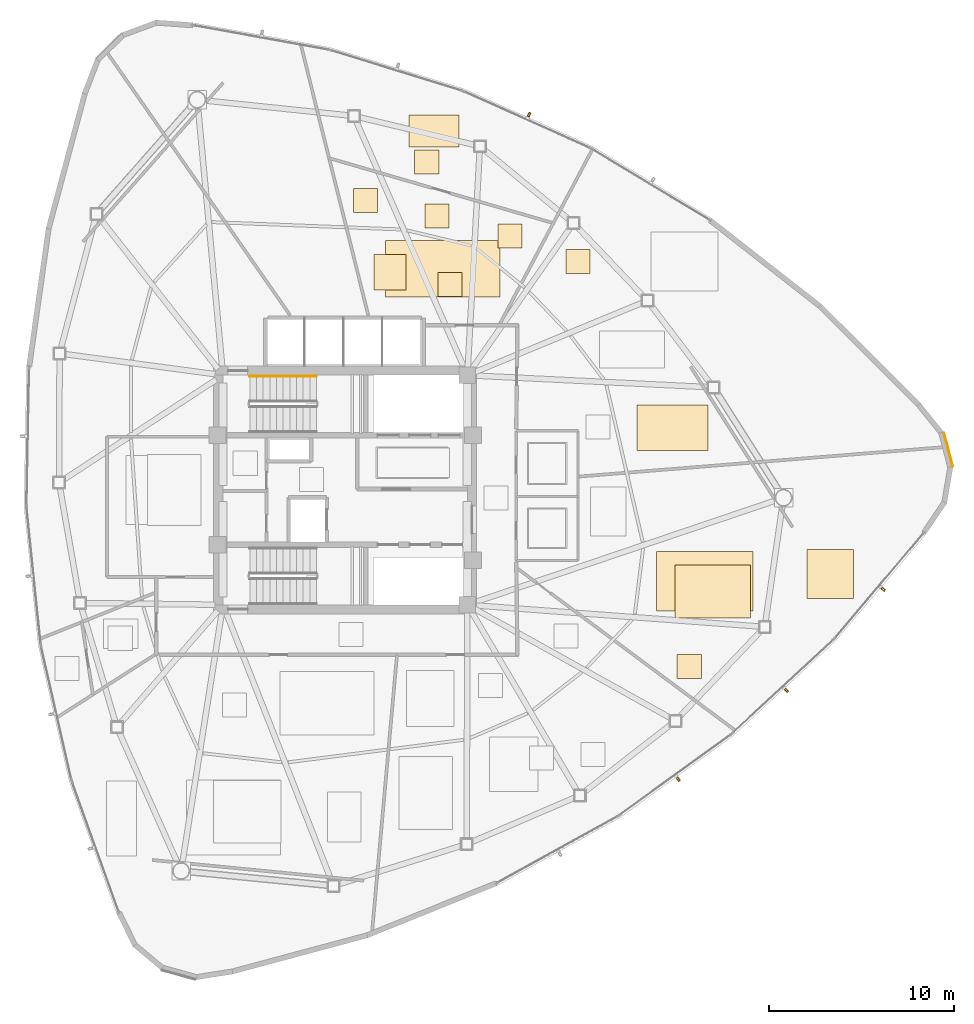
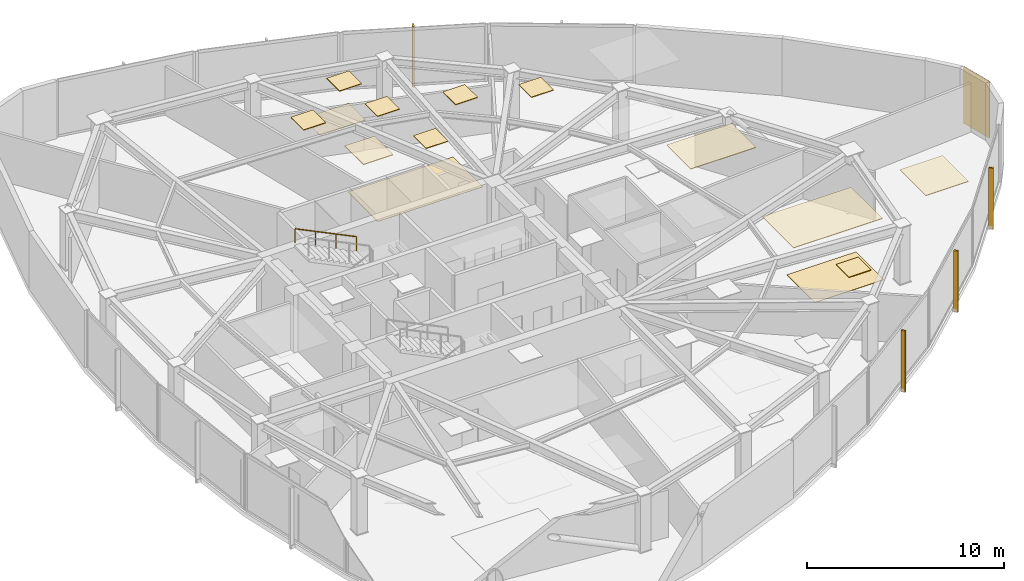
# One storey, part 16 of 17: 15 coverings, 4 shading devices, 1 railing.
"""IFC4 building model written with IfcOpenShell, lengths in metres."""

from ifc_helpers import new_model, si_unit, direction, frame, origin, origin_2d, place, context, subcontext, project, spatial, polyline, rectangle, outline, extrude, source, transform, mapped, material, layer, layer_set, type_object, type_shapes, element, save


model = new_model("IFC4")

# Units and contexts
model_context = context("Model", 3, precision=1e-05, world=origin(), true_north=direction((0.0, 1.0)))
body_context = subcontext(model_context, "Body", "Model", "MODEL_VIEW")
ifc_project = project(units=[si_unit("LENGTHUNIT", "METRE"), si_unit("AREAUNIT", "SQUARE_METRE"), si_unit("VOLUMEUNIT", "CUBIC_METRE"), si_unit("PLANEANGLEUNIT", "RADIAN"), si_unit("MASSUNIT", "GRAM", prefix="KILO")], contexts=[model_context])

# Site, building, storey
site_placement = place(None, origin())
site = spatial("IfcSite", under=ifc_project, at=site_placement, CompositionType="ELEMENT")
building_placement = place(site_placement, origin())
building = spatial("IfcBuilding", under=site, at=building_placement, Name="Tavelor Broadcast Tower", CompositionType="ELEMENT")
storey_placement = place(building_placement, frame((0.0, 0.0, 169.5)))
storey = spatial("IfcBuildingStorey", under=building, at=storey_placement, Name="L40", CompositionType="ELEMENT", Elevation=169.5)

# Covering
ifc_material_1 = material(Name="Copper-Bronze Anodized Aluminium", Category="aluminium")
ifc_layer_1 = layer(ifc_material_1, 0.050048828125)
ifc_layer_set_1 = layer_set([ifc_layer_1], Name="Copper-Bronze Anodized Aluminium")
covering_type_1 = type_object("IfcCoveringType", Name="Champagne-Bronze Corner Pier Metal Cladding 50 mm", PredefinedType="CLADDING", material=ifc_layer_set_1)
covering_1_placement = place(storey_placement, frame((82.578369140625, 47.185546875, 0.02001953125), z_axis=(0.0, 0.0, 1.0), x_axis=(-0.251224776808, 0.96792877399, 0.0)))
element("IfcCovering", 1, at=covering_1_placement, inside=storey, type_object=covering_type_1, Name="L40 Champagne-Bronze Corner Cladding 23", PredefinedType="CLADDING", context=body_context, shape_type="SweptSolid", body=[
    extrude(rectangle(XDim=1.885009765625, YDim=0.050048828125, at=origin_2d()), origin(), (0.0, 0.0, 1.0), 3.510009765625),
])

# Railing
ifc_material_2 = material(Name="Steel S355", Category="steel")
railing_type = type_object("IfcRailingType", Name="Continuous Brushed Stainless Handrail 900 mm", PredefinedType="HANDRAIL", material=ifc_material_2)
railing_placement = place(storey_placement, frame((48.449951171875, 51.14990234375, 2.10009765625)))
element("IfcRailing", 2, at=railing_placement, inside=storey, type_object=railing_type, Name="L40 ST1 stair handrail 2", PredefinedType="HANDRAIL", context=body_context, shape_type="SweptSolid", body=[
    extrude(rectangle(XDim=0.048095703125, YDim=0.048095703125, at=origin_2d()), frame((0.0, 0.0, 0.8759765625), z_axis=(-0.899360859046, 0.0, 0.437207096483), x_axis=(0.0, -1.0, 0.0)), (0.0, 0.0, 1.0), 4.002685546875),
    extrude(rectangle(XDim=0.0419921875, YDim=0.0419921875, at=origin_2d()), origin(), (0.0, 0.0, 1.0), 0.851806640625),
    extrude(rectangle(XDim=0.0419921875, YDim=0.0419921875, at=origin_2d()), frame((-1.199951171875, 0.0, 0.583251953125)), (0.0, 0.0, 1.0), 0.851806640625),
    extrude(rectangle(XDim=0.0419921875, YDim=0.0419921875, at=origin_2d()), frame((-2.39990234375, 0.0, 1.166748046875)), (0.0, 0.0, 1.0), 0.851806640625),
    extrude(rectangle(XDim=0.0419921875, YDim=0.0419921875, at=origin_2d()), frame((-3.599853515625, 0.0, 1.75)), (0.0, 0.0, 1.0), 0.851806640625),
])

# Coverings
ifc_material_3 = material(Name="Acoustic Nylon Carpet Tile")
ifc_layer_2 = layer(ifc_material_3, 0.02001953125)
ifc_layer_set_2 = layer_set([ifc_layer_2], Name="Acoustic Nylon Carpet Tile")
covering_type_2 = type_object("IfcCoveringType", Name="Heavy-Duty Acoustic Broadcast Carpet Tile 20 mm", PredefinedType="FLOORING", material=ifc_layer_set_2)
covering_2_placement = place(storey_placement, origin())
element("IfcCovering", 3, at=covering_2_placement, inside=storey, type_object=covering_type_2, Name="L40 Broadcast Floor Finish 0588", PredefinedType="FLOORING", context=body_context, shape_type="SweptSolid", body=[
    extrude(outline(polyline([(53.43994140625, 63.5244140625), (56.14990234375, 63.5244140625), (56.14990234375, 65.24609375), (53.43994140625, 65.24609375), (53.43994140625, 63.5244140625)])), origin(), (0.0, 0.0, 1.0), 0.02001953125),
])
covering_3_placement = place(storey_placement, origin())
element("IfcCovering", 4, at=covering_3_placement, inside=storey, type_object=covering_type_2, Name="L40 Broadcast Floor Finish 0589", PredefinedType="FLOORING", context=body_context, shape_type="SweptSolid", body=[
    extrude(outline(polyline([(67.825439453125, 38.095458984375), (71.8798828125, 38.095458984375), (71.8798828125, 40.94189453125), (67.825439453125, 40.94189453125), (67.825439453125, 38.095458984375)])), origin(), (0.0, 0.0, 1.0), 0.02001953125),
])
covering_4_placement = place(storey_placement, origin())
element("IfcCovering", 5, at=covering_4_placement, inside=storey, type_object=covering_type_2, Name="L40 Broadcast Floor Finish 0590", PredefinedType="FLOORING", context=body_context, shape_type="SweptSolid", body=[
    extrude(outline(polyline([(52.170654296875, 55.42333984375), (58.35009765625, 55.42333984375), (58.35009765625, 58.468505859375), (52.170654296875, 58.468505859375), (52.170654296875, 55.42333984375)])), origin(), (0.0, 0.0, 1.0), 0.02001953125),
])
ifc_material_4 = material(Name="Acoustic Mineral Fibre Tile")
ifc_layer_3 = layer(ifc_material_4, 0.0400390625)
ifc_layer_set_3 = layer_set([ifc_layer_3], Name="Acoustic Mineral Fibre Tile")
covering_type_3 = type_object("IfcCoveringType", Name="Suspended Acoustic Mineral-Fibre Office Ceiling 40 mm", PredefinedType="CEILING", material=ifc_layer_set_3)
covering_5_placement = place(storey_placement, frame((0.0, 0.0, 3.510009765625)))
element("IfcCovering", 6, at=covering_5_placement, inside=storey, type_object=covering_type_3, Name="L40 Suspended Acoustic Ceiling 1670", PredefinedType="CEILING", context=body_context, shape_type="SweptSolid", body=[
    extrude(outline(polyline([(53.755615234375, 62.0615234375), (55.055419921875, 62.0615234375), (55.055419921875, 63.361572265625), (53.755615234375, 63.361572265625), (53.755615234375, 62.0615234375)])), origin(), (0.0, 0.0, 1.0), 0.0400390625),
])
covering_6_placement = place(storey_placement, frame((0.0, 0.0, 3.510009765625)))
element("IfcCovering", 7, at=covering_6_placement, inside=storey, type_object=covering_type_3, Name="L40 Suspended Acoustic Ceiling 1673", PredefinedType="CEILING", context=body_context, shape_type="SweptSolid", body=[
    extrude(outline(polyline([(65.76611328125, 47.145751953125), (69.590576171875, 47.145751953125), (69.590576171875, 49.603515625), (65.76611328125, 49.603515625), (65.76611328125, 47.145751953125)])), origin(), (0.0, 0.0, 1.0), 0.0400390625),
])
covering_7_placement = place(storey_placement, frame((0.0, 0.0, 3.510009765625)))
element("IfcCovering", 8, at=covering_7_placement, inside=storey, type_object=covering_type_3, Name="L40 Suspended Acoustic Ceiling 1675", PredefinedType="CEILING", context=body_context, shape_type="SweptSolid", body=[
    extrude(outline(polyline([(61.927734375, 56.70068359375), (63.227783203125, 56.70068359375), (63.227783203125, 58.00048828125), (61.927734375, 58.00048828125), (61.927734375, 56.70068359375)])), origin(), (0.0, 0.0, 1.0), 0.0400390625),
])
covering_8_placement = place(storey_placement, frame((0.0, 0.0, 3.510009765625)))
element("IfcCovering", 9, at=covering_8_placement, inside=storey, type_object=covering_type_3, Name="L40 Suspended Acoustic Ceiling 1677", PredefinedType="CEILING", context=body_context, shape_type="SweptSolid", body=[
    extrude(outline(polyline([(66.80126953125, 38.476806640625), (72.0126953125, 38.476806640625), (72.0126953125, 41.673095703125), (66.80126953125, 41.673095703125), (66.80126953125, 38.476806640625)])), origin(), (0.0, 0.0, 1.0), 0.0400390625),
])
covering_9_placement = place(storey_placement, frame((0.0, 0.0, 3.510009765625)))
element("IfcCovering", 10, at=covering_9_placement, inside=storey, type_object=covering_type_3, Name="L40 Suspended Acoustic Ceiling 1678", PredefinedType="CEILING", context=body_context, shape_type="SweptSolid", body=[
    extrude(outline(polyline([(74.938232421875, 39.1298828125), (77.4443359375, 39.1298828125), (77.4443359375, 41.776611328125), (74.938232421875, 41.776611328125), (74.938232421875, 39.1298828125)])), origin(), (0.0, 0.0, 1.0), 0.0400390625),
])
covering_10_placement = place(storey_placement, frame((0.0, 0.0, 3.510009765625)))
element("IfcCovering", 11, at=covering_10_placement, inside=storey, type_object=covering_type_3, Name="L40 Suspended Acoustic Ceiling 1679", PredefinedType="CEILING", context=body_context, shape_type="SweptSolid", body=[
    extrude(outline(polyline([(67.93115234375, 34.822021484375), (69.231201171875, 34.822021484375), (69.231201171875, 36.1220703125), (67.93115234375, 36.1220703125), (67.93115234375, 34.822021484375)])), origin(), (0.0, 0.0, 1.0), 0.0400390625),
])
covering_11_placement = place(storey_placement, frame((0.0, 0.0, 3.510009765625)))
element("IfcCovering", 12, at=covering_11_placement, inside=storey, type_object=covering_type_3, Name="L40 Suspended Acoustic Ceiling 1680", PredefinedType="CEILING", context=body_context, shape_type="SweptSolid", body=[
    extrude(outline(polyline([(50.4453125, 59.981201171875), (51.745361328125, 59.981201171875), (51.745361328125, 61.28125), (50.4453125, 61.28125), (50.4453125, 59.981201171875)])), origin(), (0.0, 0.0, 1.0), 0.0400390625),
])
covering_12_placement = place(storey_placement, frame((0.0, 0.0, 3.510009765625)))
element("IfcCovering", 13, at=covering_12_placement, inside=storey, type_object=covering_type_3, Name="L40 Suspended Acoustic Ceiling 1681", PredefinedType="CEILING", context=body_context, shape_type="SweptSolid", body=[
    extrude(outline(polyline([(54.313720703125, 59.14599609375), (55.61376953125, 59.14599609375), (55.61376953125, 60.44580078125), (54.313720703125, 60.44580078125), (54.313720703125, 59.14599609375)])), origin(), (0.0, 0.0, 1.0), 0.0400390625),
])
covering_13_placement = place(storey_placement, frame((0.0, 0.0, 3.510009765625)))
element("IfcCovering", 14, at=covering_13_placement, inside=storey, type_object=covering_type_3, Name="L40 Suspended Acoustic Ceiling 1682", PredefinedType="CEILING", context=body_context, shape_type="SweptSolid", body=[
    extrude(outline(polyline([(58.2607421875, 58.064208984375), (59.560791015625, 58.064208984375), (59.560791015625, 59.364013671875), (58.2607421875, 59.364013671875), (58.2607421875, 58.064208984375)])), origin(), (0.0, 0.0, 1.0), 0.0400390625),
])
covering_14_placement = place(storey_placement, frame((0.0, 0.0, 3.510009765625)))
element("IfcCovering", 15, at=covering_14_placement, inside=storey, type_object=covering_type_3, Name="L40 Suspended Acoustic Ceiling 1683", PredefinedType="CEILING", context=body_context, shape_type="SweptSolid", body=[
    extrude(outline(polyline([(55.0205078125, 55.454833984375), (56.3203125, 55.454833984375), (56.3203125, 56.7548828125), (55.0205078125, 56.7548828125), (55.0205078125, 55.454833984375)])), origin(), (0.0, 0.0, 1.0), 0.0400390625),
])
covering_15_placement = place(storey_placement, frame((0.0, 0.0, 3.510009765625)))
element("IfcCovering", 16, at=covering_15_placement, inside=storey, type_object=covering_type_3, Name="L40 Suspended Acoustic Ceiling 1684", PredefinedType="CEILING", context=body_context, shape_type="SweptSolid", body=[
    extrude(outline(polyline([(51.550537109375, 55.80859375), (53.297119140625, 55.80859375), (53.297119140625, 57.71826171875), (51.550537109375, 57.71826171875), (51.550537109375, 55.80859375)])), origin(), (0.0, 0.0, 1.0), 0.0400390625),
])

# Shading devices
ifc_material_5 = material(Name="Kiln-Fired Glazed Terracotta", Category="masonry")
shading_device_type = type_object("IfcShadingDeviceType", Name="Extruded Terracotta Baguette Sun-Screen 110x240", PredefinedType="JALOUSIE", material=ifc_material_5)
shared_shape = source(origin(), body_context, "Body", "SweptSolid", [
    extrude(rectangle(XDim=0.110107421875, YDim=0.239990234375, at=origin_2d()), origin(), (0.0, 0.0, 1.0), 3.7900390625),
])
type_shapes(shading_device_type, [shared_shape])
for number, where, z_axis, x_axis, name in (
    (17, (67.99267578125, 29.376220703125, -0.260009765625), (0.0, 0.0, 1.0), (0.810246273656, 0.586089563144, 0.0), "L40 Terracotta Baguette Fin 414"),
    (18, (73.83935546875, 34.170166015625, -0.260009765625), (0.0, 0.0, 1.0), (0.733374009306, 0.679825391166, 0.0), "L40 Terracotta Baguette Fin 415"),
    (19, (79.06298828125, 39.636474609375, -0.260009765625), (0.0, 0.0, 1.0), (0.645724263505, 0.763570674869, 0.0), "L40 Terracotta Baguette Fin 416"),
    (20, (59.934326171875, 65.2763671875, -0.260009765625), (0.0, 0.0, 1.0), (-0.912620250784, 0.408808363244, 0.0), "L40 Terracotta Baguette Fin 418"),
):
    element("IfcShadingDevice", number, at=place(storey_placement, frame(where, z_axis=z_axis, x_axis=x_axis)), inside=storey, type_object=shading_device_type, Name=name, PredefinedType="JALOUSIE", context=body_context, shape_type="MappedRepresentation", body=[
        mapped(shared_shape, transform((0.0, 0.0, 0.0), scale=1.0)),
    ])

save(model, "model.ifc")
